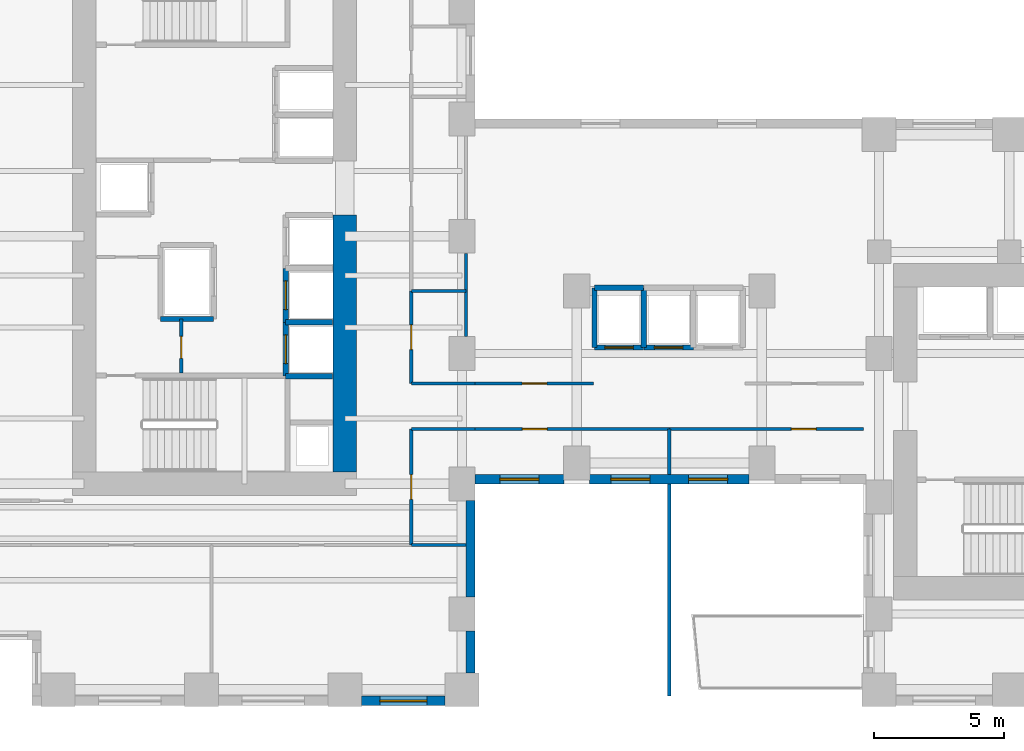
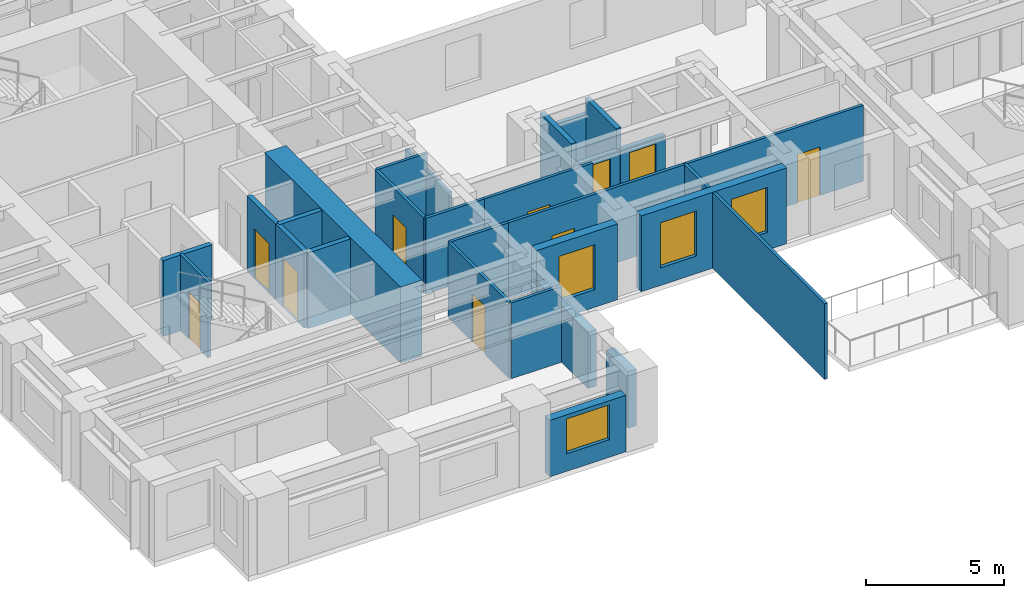
# One storey, part 4 of 12: 29 walls, 10 doors, 4 windows, 14 openings.
"""IFC4 building model written with IfcOpenShell, lengths in metres."""

from ifc_helpers import new_model, si_unit, direction, frame, frame_2d, origin, place, context, subcontext, project, spatial, rectangle, extrude, source, transform, mapped, material, layer, layer_set, type_object, element, fill, save


model = new_model("IFC4")

# Units and contexts
model_context = context("Model", 3, precision=1e-05, world=origin(), true_north=direction((0.0, 1.0)))
body_context = subcontext(model_context, "Body", "Model", "MODEL_VIEW")
ifc_project = project(units=[si_unit("LENGTHUNIT", "METRE"), si_unit("AREAUNIT", "SQUARE_METRE"), si_unit("VOLUMEUNIT", "CUBIC_METRE"), si_unit("PLANEANGLEUNIT", "RADIAN"), si_unit("MASSUNIT", "GRAM", prefix="KILO")], contexts=[model_context])

# Site, building, storey
site_placement = place(None, origin())
site = spatial("IfcSite", under=ifc_project, at=site_placement, CompositionType="ELEMENT")
building_placement = place(site_placement, origin())
building = spatial("IfcBuilding", under=site, at=building_placement, Name="Kharzan Plaza Tower", CompositionType="ELEMENT")
storey_placement = place(building_placement, frame((0.0, 0.0, 62.10009765625)))
storey = spatial("IfcBuildingStorey", under=building, at=storey_placement, Name="L16", CompositionType="ELEMENT", Elevation=62.10009765625)

# Wall, opening, window
ifc_material_1 = material(Name="Concrete C40/50", Category="concrete")
ifc_layer_1 = layer(ifc_material_1, 0.35009765625)
ifc_layer_set_1 = layer_set([ifc_layer_1], Name="Concrete C40/50")
wall_type_1 = type_object("IfcWallType", Name="WL-EXT-MAS-Z1", PredefinedType="SOLIDWALL", material=ifc_layer_set_1)
wall_1_placement = place(storey_placement, frame((15.14794921875, 0.175048828125, 0.0), z_axis=(0.0, 0.0, 1.0), x_axis=(1.0, 0.0, 0.0)))
wall_1 = element("IfcWall", 1, at=wall_1_placement, inside=storey, type_object=wall_type_1, Name="L16 Masonry-Frame Exterior Wall 25", PredefinedType="SOLIDWALL", context=body_context, shape_type="SweptSolid", body=[
    extrude(rectangle(XDim=3.2041015625, YDim=0.35009765625, at=frame_2d((1.60205078125, 0.0))), origin(), (0.0, 0.0, 1.0), 2.510009765625),
])
opening_1_placement = place(wall_1_placement, frame((0.701904296875, 0.0, 0.780029296875)))
opening_1 = element("IfcOpeningElement", 2, at=opening_1_placement, cuts=wall_1, Name="Opening W1", PredefinedType="OPENING", context=body_context, shape_type="SweptSolid", body=[
    extrude(rectangle(XDim=1.800048828125, YDim=1.550048828125, at=frame_2d((0.89990234375, 0.77490234375))), frame((0.0, 0.18505859375, 0.0), z_axis=(0.0, -1.0, 0.0), x_axis=(1.0, 0.0, 0.0)), (0.0, 0.0, 1.0), 0.3701171875),
])
ifc_material_2 = material(Name="Low-E Double Glazing", Category="glass")
window_type_1 = type_object("IfcWindowType", Name="WN-REC-1800x2100", PartitioningType="SINGLE_PANEL", PredefinedType="WINDOW", material=ifc_material_2)
shared_shape_1 = source(origin(), body_context, "Body", "SweptSolid", [
    extrude(rectangle(XDim=1.800048828125, YDim=1.550048828125, at=frame_2d((0.89990234375, 0.77490234375))), frame((0.0, 0.030029296875, 0.0), z_axis=(0.0, -1.0, 0.0), x_axis=(1.0, 0.0, 0.0)), (0.0, 0.0, 1.0), 0.06005859375),
])
window_1_placement = place(opening_1_placement, origin())
window_1 = element("IfcWindow", 3, at=window_1_placement, inside=storey, type_object=window_type_1, Name="L16 Recessed Solar-Control Window 25-1", OverallHeight=1.550048828125, OverallWidth=1.800048828125, PartitioningType="SINGLE_PANEL", PredefinedType="WINDOW", context=body_context, shape_type="MappedRepresentation", body=[
    mapped(shared_shape_1, transform((0.0, 0.0, 0.0), x_axis=(1.0, 0.0, 0.0), y_axis=(0.0, 1.0, 0.0), z_axis=(0.0, 0.0, 1.0))),
])
fill(opening_1, window_1)

wall_2_placement = place(storey_placement, frame((19.498046875, 8.675048828125, 0.0), z_axis=(0.0, 0.0, 1.0), x_axis=(1.0, 0.0, 0.0)))
wall_2 = element("IfcWall", 4, at=wall_2_placement, inside=storey, type_object=wall_type_1, Name="L16 Masonry-Frame Exterior Wall 28", PredefinedType="SOLIDWALL", context=body_context, shape_type="SweptSolid", body=[
    extrude(rectangle(XDim=3.404052734375, YDim=0.35009765625, at=frame_2d((1.7021484375, 0.0))), origin(), (0.0, 0.0, 1.0), 3.364990234375),
])
opening_2_placement = place(wall_2_placement, frame((0.951904296875, 0.0, 0.780029296875)))
opening_2 = element("IfcOpeningElement", 5, at=opening_2_placement, cuts=wall_2, Name="Opening W5", PredefinedType="OPENING", context=body_context, shape_type="SweptSolid", body=[
    extrude(rectangle(XDim=1.5, YDim=2.0, at=frame_2d((0.75, 1.0))), frame((0.0, 0.18505859375, 0.0), z_axis=(0.0, -1.0, 0.0), x_axis=(1.0, 0.0, 0.0)), (0.0, 0.0, 1.0), 0.3701171875),
])
window_type_2 = type_object("IfcWindowType", Name="WN-SLT-1500x2000", PartitioningType="SINGLE_PANEL", PredefinedType="WINDOW", material=ifc_material_2)
shared_shape_2 = source(origin(), body_context, "Body", "SweptSolid", [
    extrude(rectangle(XDim=1.5, YDim=2.0, at=frame_2d((0.75, 1.0))), frame((0.0, 0.030029296875, 0.0), z_axis=(0.0, -1.0, 0.0), x_axis=(1.0, 0.0, 0.0)), (0.0, 0.0, 1.0), 0.06005859375),
])
window_2_placement = place(opening_2_placement, origin())
window_2 = element("IfcWindow", 6, at=window_2_placement, inside=storey, type_object=window_type_2, Name="L16 Recessed Solar-Control Window 28-1", OverallHeight=2.0, OverallWidth=1.5, PartitioningType="SINGLE_PANEL", PredefinedType="WINDOW", context=body_context, shape_type="MappedRepresentation", body=[
    mapped(shared_shape_2, transform((0.0, 0.0, 0.0), x_axis=(1.0, 0.0, 0.0), y_axis=(0.0, 1.0, 0.0), z_axis=(0.0, 0.0, 1.0))),
])
fill(opening_2, window_2)

# Wall, openings, windows
wall_3_placement = place(storey_placement, frame((23.89794921875, 8.675048828125, 0.0), z_axis=(0.0, 0.0, 1.0), x_axis=(1.0, 0.0, 0.0)))
wall_3 = element("IfcWall", 7, at=wall_3_placement, inside=storey, type_object=wall_type_1, Name="L16 Masonry-Frame Exterior Wall 29", PredefinedType="SOLIDWALL", context=body_context, shape_type="SweptSolid", body=[
    extrude(rectangle(XDim=6.10400390625, YDim=0.35009765625, at=frame_2d((3.052001953125, 0.0))), origin(), (0.0, 0.0, 1.0), 3.364990234375),
])
opening_3_placement = place(wall_3_placement, frame((0.81103515625, 0.0, 0.780029296875)))
opening_3 = element("IfcOpeningElement", 8, at=opening_3_placement, cuts=wall_3, Name="Opening W5", PredefinedType="OPENING", context=body_context, shape_type="SweptSolid", body=[
    extrude(rectangle(XDim=1.5, YDim=2.0, at=frame_2d((0.75, 1.0))), frame((0.0, 0.18505859375, 0.0), z_axis=(0.0, -1.0, 0.0), x_axis=(1.0, 0.0, 0.0)), (0.0, 0.0, 1.0), 0.3701171875),
])
opening_4_placement = place(wall_3_placement, frame((3.79296875, 0.0, 0.780029296875)))
opening_4 = element("IfcOpeningElement", 9, at=opening_4_placement, cuts=wall_3, Name="Opening W5", PredefinedType="OPENING", context=body_context, shape_type="SweptSolid", body=[
    extrude(rectangle(XDim=1.5, YDim=2.0, at=frame_2d((0.75, 1.0))), frame((0.0, 0.18505859375, 0.0), z_axis=(0.0, -1.0, 0.0), x_axis=(1.0, 0.0, 0.0)), (0.0, 0.0, 1.0), 0.3701171875),
])
window_3_placement = place(opening_3_placement, origin())
window_3 = element("IfcWindow", 10, at=window_3_placement, inside=storey, type_object=window_type_2, Name="L16 Recessed Solar-Control Window 29-1", OverallHeight=2.0, OverallWidth=1.5, PartitioningType="SINGLE_PANEL", PredefinedType="WINDOW", context=body_context, shape_type="MappedRepresentation", body=[
    mapped(shared_shape_2, transform((0.0, 0.0, 0.0), x_axis=(1.0, 0.0, 0.0), y_axis=(0.0, 1.0, 0.0), z_axis=(0.0, 0.0, 1.0))),
])
fill(opening_3, window_3)
window_4_placement = place(opening_4_placement, origin())
window_4 = element("IfcWindow", 11, at=window_4_placement, inside=storey, type_object=window_type_2, Name="L16 Recessed Solar-Control Window 29-2", OverallHeight=2.0, OverallWidth=1.5, PartitioningType="SINGLE_PANEL", PredefinedType="WINDOW", context=body_context, shape_type="MappedRepresentation", body=[
    mapped(shared_shape_2, transform((0.0, 0.0, 0.0), x_axis=(1.0, 0.0, 0.0), y_axis=(0.0, 1.0, 0.0), z_axis=(0.0, 0.0, 1.0))),
])
fill(opening_4, window_4)

# Wall, opening, door
ifc_material_3 = material(Name="Fire-Rated Gypsum Board Partition", Category="gypsum")
ifc_layer_2 = layer(ifc_material_3, 0.125)
ifc_layer_set_2 = layer_set([ifc_layer_2], Name="Fire-Rated Gypsum Board Partition")
wall_type_2 = type_object("IfcWallType", Name="WL-INT-PART-125", PredefinedType="PARTITIONING", material=ifc_layer_set_2)
wall_4_placement = place(storey_placement, frame((8.219970703125, 12.75, 0.0), z_axis=(0.0, 0.0, 1.0), x_axis=(0.0, 1.0, 0.0)))
wall_4 = element("IfcWall", 12, at=wall_4_placement, inside=storey, type_object=wall_type_2, Name="L16 Interior Partition CA-K1E", PredefinedType="PARTITIONING", context=body_context, shape_type="SweptSolid", body=[
    extrude(rectangle(XDim=2.070068359375, YDim=0.125, at=frame_2d((1.03515625, 0.0))), origin(), (0.0, 0.0, 1.0), 3.364990234375),
])
opening_5_placement = place(wall_4_placement, frame((0.56005859375, 0.0, 0.0)))
opening_5 = element("IfcOpeningElement", 13, at=opening_5_placement, cuts=wall_4, Name="Opening RD1", PredefinedType="OPENING", context=body_context, shape_type="SweptSolid", body=[
    extrude(rectangle(XDim=0.85009765625, YDim=2.10009765625, at=frame_2d((0.425048828125, 1.050048828125))), frame((0.0, 0.072509765625, 0.0), z_axis=(0.0, -1.0, 0.0), x_axis=(1.0, 0.0, 0.0)), (0.0, 0.0, 1.0), 0.14501953125),
])
ifc_material_4 = material(Name="Powder-Coated Fire-Rated Steel", Category="steel")
door_type_1 = type_object("IfcDoorType", Name="DR-RISER-900", OperationType="NOTDEFINED", PredefinedType="DOOR", material=ifc_material_4)
shared_shape_3 = source(origin(), body_context, "Body", "SweptSolid", [
    extrude(rectangle(XDim=0.85009765625, YDim=2.10009765625, at=frame_2d((0.425048828125, 1.050048828125))), frame((0.0, 0.02490234375, 0.0), z_axis=(0.0, -1.0, 0.0), x_axis=(1.0, 0.0, 0.0)), (0.0, 0.0, 1.0), 0.050048828125),
])
door_1_placement = place(opening_5_placement, origin())
door_1 = element("IfcDoor", 14, at=door_1_placement, inside=storey, type_object=door_type_1, Name="L16 Core Service Store Door", OperationType="SINGLE_SWING_RIGHT", OverallHeight=2.10009765625, OverallWidth=0.85009765625, PredefinedType="DOOR", context=body_context, shape_type="MappedRepresentation", body=[
    mapped(shared_shape_3, transform((0.0, 0.0, 0.0), x_axis=(1.0, 0.0, 0.0), y_axis=(0.0, 1.0, 0.0), z_axis=(0.0, 0.0, 1.0))),
])
fill(opening_5, door_1)

wall_5_placement = place(storey_placement, frame((17.050048828125, 12.35009765625, 0.0), z_axis=(0.0, 0.0, 1.0), x_axis=(0.0, 1.0, 0.0)))
wall_5 = element("IfcWall", 15, at=wall_5_placement, inside=storey, type_object=wall_type_2, Name="L16 Interior Partition SH-AEWN1", PredefinedType="PARTITIONING", context=body_context, shape_type="SweptSolid", body=[
    extrude(rectangle(XDim=3.5498046875, YDim=0.125, at=frame_2d((1.77490234375, 0.0))), origin(), (0.0, 0.0, 1.0), 3.364990234375),
])
opening_6_placement = place(wall_5_placement, frame((1.300048828125, 0.0, 0.0)))
opening_6 = element("IfcOpeningElement", 16, at=opening_6_placement, cuts=wall_5, Name="Opening OD1", PredefinedType="OPENING", context=body_context, shape_type="SweptSolid", body=[
    extrude(rectangle(XDim=0.949951171875, YDim=2.14990234375, at=frame_2d((0.47509765625, 1.074951171875))), frame((0.0, 0.072509765625, 0.0), z_axis=(0.0, -1.0, 0.0), x_axis=(1.0, 0.0, 0.0)), (0.0, 0.0, 1.0), 0.14501953125),
])
ifc_material_5 = material(Name="Acoustic Solid-Core Stained Oak", Category="timber")
door_type_2 = type_object("IfcDoorType", Name="DR-OFF-SINGLE", OperationType="NOTDEFINED", PredefinedType="DOOR", material=ifc_material_5)
shared_shape_4 = source(origin(), body_context, "Body", "SweptSolid", [
    extrude(rectangle(XDim=0.949951171875, YDim=2.14990234375, at=frame_2d((0.47509765625, 1.074951171875))), frame((0.0, 0.02490234375, 0.0), z_axis=(0.0, -1.0, 0.0), x_axis=(1.0, 0.0, 0.0)), (0.0, 0.0, 1.0), 0.050048828125),
])
door_2_placement = place(opening_6_placement, origin())
door_2 = element("IfcDoor", 17, at=door_2_placement, inside=storey, type_object=door_type_2, Name="L16 Slot Collaboration Door", OperationType="SINGLE_SWING_RIGHT", OverallHeight=2.14990234375, OverallWidth=0.949951171875, PredefinedType="DOOR", context=body_context, shape_type="MappedRepresentation", body=[
    mapped(shared_shape_4, transform((0.0, 0.0, 0.0), x_axis=(1.0, 0.0, 0.0), y_axis=(0.0, 1.0, 0.0), z_axis=(0.0, 0.0, 1.0))),
])
fill(opening_6, door_2)

wall_6_placement = place(storey_placement, frame((17.050048828125, 6.14990234375, 0.0), z_axis=(0.0, 0.0, 1.0), x_axis=(0.0, 1.0, 0.0)))
wall_6 = element("IfcWall", 18, at=wall_6_placement, inside=storey, type_object=wall_type_2, Name="L16 Interior Partition SH-AEWS", PredefinedType="PARTITIONING", context=body_context, shape_type="SweptSolid", body=[
    extrude(rectangle(XDim=4.4501953125, YDim=0.125, at=frame_2d((2.22509765625, 0.0))), origin(), (0.0, 0.0, 1.0), 3.364990234375),
])
opening_7_placement = place(wall_6_placement, frame((1.75, 0.0, 0.0)))
opening_7 = element("IfcOpeningElement", 19, at=opening_7_placement, cuts=wall_6, Name="Opening OD1", PredefinedType="OPENING", context=body_context, shape_type="SweptSolid", body=[
    extrude(rectangle(XDim=0.949951171875, YDim=2.14990234375, at=frame_2d((0.47509765625, 1.074951171875))), frame((0.0, 0.072509765625, 0.0), z_axis=(0.0, -1.0, 0.0), x_axis=(1.0, 0.0, 0.0)), (0.0, 0.0, 1.0), 0.14501953125),
])
door_3_placement = place(opening_7_placement, origin())
door_3 = element("IfcDoor", 20, at=door_3_placement, inside=storey, type_object=door_type_2, Name="L16 Slot South Office Door", OperationType="SINGLE_SWING_LEFT", OverallHeight=2.14990234375, OverallWidth=0.949951171875, PredefinedType="DOOR", context=body_context, shape_type="MappedRepresentation", body=[
    mapped(shared_shape_4, transform((0.0, 0.0, 0.0), x_axis=(1.0, 0.0, 0.0), y_axis=(0.0, 1.0, 0.0), z_axis=(0.0, 0.0, 1.0))),
])
fill(opening_7, door_3)

wall_7_placement = place(storey_placement, frame((19.5, 12.35009765625, 0.0), z_axis=(0.0, 0.0, 1.0), x_axis=(1.0, 0.0, 0.0)))
wall_7 = element("IfcWall", 21, at=wall_7_placement, inside=storey, type_object=wall_type_2, Name="L16 Interior Partition SH-SPNW1", PredefinedType="PARTITIONING", context=body_context, shape_type="SweptSolid", body=[
    extrude(rectangle(XDim=4.550048828125, YDim=0.125, at=frame_2d((2.27490234375, 0.0))), origin(), (0.0, 0.0, 1.0), 3.364990234375),
])
opening_8_placement = place(wall_7_placement, frame((1.800048828125, 0.0, 0.0)))
opening_8 = element("IfcOpeningElement", 22, at=opening_8_placement, cuts=wall_7, Name="Opening OD1", PredefinedType="OPENING", context=body_context, shape_type="SweptSolid", body=[
    extrude(rectangle(XDim=0.949951171875, YDim=2.14990234375, at=frame_2d((0.47509765625, 1.074951171875))), frame((0.0, 0.072509765625, 0.0), z_axis=(0.0, -1.0, 0.0), x_axis=(1.0, 0.0, 0.0)), (0.0, 0.0, 1.0), 0.14501953125),
])
door_4_placement = place(opening_8_placement, origin())
door_4 = element("IfcDoor", 23, at=door_4_placement, inside=storey, type_object=door_type_2, Name="L16 North-West Spine Door", OperationType="SINGLE_SWING_RIGHT", OverallHeight=2.14990234375, OverallWidth=0.949951171875, PredefinedType="DOOR", context=body_context, shape_type="MappedRepresentation", body=[
    mapped(shared_shape_4, transform((0.0, 0.0, 0.0), x_axis=(1.0, 0.0, 0.0), y_axis=(0.0, 1.0, 0.0), z_axis=(0.0, 0.0, 1.0))),
])
fill(opening_8, door_4)

wall_8_placement = place(storey_placement, frame((19.5, 10.60009765625, 0.0), z_axis=(0.0, 0.0, 1.0), x_axis=(1.0, 0.0, 0.0)))
wall_8 = element("IfcWall", 24, at=wall_8_placement, inside=storey, type_object=wall_type_2, Name="L16 Interior Partition SH-SPS1", PredefinedType="PARTITIONING", context=body_context, shape_type="SweptSolid", body=[
    extrude(rectangle(XDim=7.449951171875, YDim=0.125, at=frame_2d((3.72509765625, 0.0))), origin(), (0.0, 0.0, 1.0), 3.364990234375),
])
opening_9_placement = place(wall_8_placement, frame((1.8173828125, 0.0, 0.0)))
opening_9 = element("IfcOpeningElement", 25, at=opening_9_placement, cuts=wall_8, Name="Opening OD1", PredefinedType="OPENING", context=body_context, shape_type="SweptSolid", body=[
    extrude(rectangle(XDim=0.949951171875, YDim=2.14990234375, at=frame_2d((0.47509765625, 1.074951171875))), frame((0.0, 0.072509765625, 0.0), z_axis=(0.0, -1.0, 0.0), x_axis=(1.0, 0.0, 0.0)), (0.0, 0.0, 1.0), 0.14501953125),
])
door_5_placement = place(opening_9_placement, origin())
door_5 = element("IfcDoor", 26, at=door_5_placement, inside=storey, type_object=door_type_2, Name="L16 South Spine West Door", OperationType="SINGLE_SWING_RIGHT", OverallHeight=2.14990234375, OverallWidth=0.949951171875, PredefinedType="DOOR", context=body_context, shape_type="MappedRepresentation", body=[
    mapped(shared_shape_4, transform((0.0, 0.0, 0.0), x_axis=(1.0, 0.0, 0.0), y_axis=(0.0, 1.0, 0.0), z_axis=(0.0, 0.0, 1.0))),
])
fill(opening_9, door_5)

wall_9_placement = place(storey_placement, frame((26.949951171875, 10.60009765625, 0.0), z_axis=(0.0, 0.0, 1.0), x_axis=(1.0, 0.0, 0.0)))
wall_9 = element("IfcWall", 27, at=wall_9_placement, inside=storey, type_object=wall_type_2, Name="L16 Interior Partition SH-SPS2", PredefinedType="PARTITIONING", context=body_context, shape_type="SweptSolid", body=[
    extrude(rectangle(XDim=7.449951171875, YDim=0.125, at=frame_2d((3.72509765625, 0.0))), origin(), (0.0, 0.0, 1.0), 3.364990234375),
])
opening_10_placement = place(wall_9_placement, frame((4.6826171875, 0.0, 0.0)))
opening_10 = element("IfcOpeningElement", 28, at=opening_10_placement, cuts=wall_9, Name="Opening OD1", PredefinedType="OPENING", context=body_context, shape_type="SweptSolid", body=[
    extrude(rectangle(XDim=0.949951171875, YDim=2.14990234375, at=frame_2d((0.47509765625, 1.074951171875))), frame((0.0, 0.072509765625, 0.0), z_axis=(0.0, -1.0, 0.0), x_axis=(1.0, 0.0, 0.0)), (0.0, 0.0, 1.0), 0.14501953125),
])
door_6_placement = place(opening_10_placement, origin())
door_6 = element("IfcDoor", 29, at=door_6_placement, inside=storey, type_object=door_type_2, Name="L16 South Spine East Door", OperationType="SINGLE_SWING_LEFT", OverallHeight=2.14990234375, OverallWidth=0.949951171875, PredefinedType="DOOR", context=body_context, shape_type="MappedRepresentation", body=[
    mapped(shared_shape_4, transform((0.0, 0.0, 0.0), x_axis=(1.0, 0.0, 0.0), y_axis=(0.0, 1.0, 0.0), z_axis=(0.0, 0.0, 1.0))),
])
fill(opening_10, door_6)

ifc_layer_3 = layer(ifc_material_1, 0.199951171875)
ifc_layer_set_3 = layer_set([ifc_layer_3], Name="Concrete C40/50")
wall_type_3 = type_object("IfcWallType", Name="WL-INT-SHAFT-200", PredefinedType="PARTITIONING", material=ifc_layer_set_3)
wall_10_placement = place(storey_placement, frame((12.22998046875, 12.6298828125, 0.0), z_axis=(0.0, 0.0, 1.0), x_axis=(0.0, 1.0, 0.0)))
wall_10 = element("IfcWall", 30, at=wall_10_placement, inside=storey, type_object=wall_type_3, Name="L16 Interior Partition SHF-PL-H1-W", PredefinedType="PARTITIONING", context=body_context, shape_type="SweptSolid", body=[
    extrude(rectangle(XDim=2.070068359375, YDim=0.199951171875, at=frame_2d((1.03515625, 0.0))), origin(), (0.0, 0.0, 1.0), 3.364990234375),
])
opening_11_placement = place(wall_10_placement, frame((0.485107421875, 0.0, 0.0)))
opening_11 = element("IfcOpeningElement", 31, at=opening_11_placement, cuts=wall_10, Name="Opening LD", PredefinedType="OPENING", context=body_context, shape_type="SweptSolid", body=[
    extrude(rectangle(XDim=1.10009765625, YDim=2.199951171875, at=frame_2d((0.550048828125, 1.10009765625))), frame((0.0, 0.10986328125, 0.0), z_axis=(0.0, -1.0, 0.0), x_axis=(1.0, 0.0, 0.0)), (0.0, 0.0, 1.0), 0.219970703125),
])
ifc_material_6 = material(Name="Brushed Stainless Steel", Category="steel")
door_type_3 = type_object("IfcDoorType", Name="DR-LIFT-SLIDE", OperationType="SLIDING_TO_LEFT", PredefinedType="DOOR", material=ifc_material_6)
shared_shape_5 = source(origin(), body_context, "Body", "SweptSolid", [
    extrude(rectangle(XDim=1.10009765625, YDim=2.199951171875, at=frame_2d((0.550048828125, 1.10009765625))), frame((0.0, 0.02490234375, 0.0), z_axis=(0.0, -1.0, 0.0), x_axis=(1.0, 0.0, 0.0)), (0.0, 0.0, 1.0), 0.050048828125),
])
door_7_placement = place(opening_11_placement, origin())
door_7 = element("IfcDoor", 32, at=door_7_placement, inside=storey, type_object=door_type_3, Name="L16 High-Rise Passenger Lift PL-H1 Sliding Landing Door", OperationType="SLIDING_TO_LEFT", OverallHeight=2.199951171875, OverallWidth=1.10009765625, PredefinedType="DOOR", context=body_context, shape_type="MappedRepresentation", body=[
    mapped(shared_shape_5, transform((0.0, 0.0, 0.0), x_axis=(1.0, 0.0, 0.0), y_axis=(0.0, 1.0, 0.0), z_axis=(0.0, 0.0, 1.0))),
])
fill(opening_11, door_7)

wall_11_placement = place(storey_placement, frame((12.22998046875, 14.699951171875, 0.0), z_axis=(0.0, 0.0, 1.0), x_axis=(0.0, 1.0, 0.0)))
wall_11 = element("IfcWall", 33, at=wall_11_placement, inside=storey, type_object=wall_type_3, Name="L16 Interior Partition SHF-PL-H2-W", PredefinedType="PARTITIONING", context=body_context, shape_type="SweptSolid", body=[
    extrude(rectangle(XDim=2.070068359375, YDim=0.199951171875, at=frame_2d((1.03515625, 0.0))), origin(), (0.0, 0.0, 1.0), 3.364990234375),
])
opening_12_placement = place(wall_11_placement, frame((0.485107421875, 0.0, 0.0)))
opening_12 = element("IfcOpeningElement", 34, at=opening_12_placement, cuts=wall_11, Name="Opening LD", PredefinedType="OPENING", context=body_context, shape_type="SweptSolid", body=[
    extrude(rectangle(XDim=1.10009765625, YDim=2.199951171875, at=frame_2d((0.550048828125, 1.10009765625))), frame((0.0, 0.10986328125, 0.0), z_axis=(0.0, -1.0, 0.0), x_axis=(1.0, 0.0, 0.0)), (0.0, 0.0, 1.0), 0.219970703125),
])
door_8_placement = place(opening_12_placement, origin())
door_8 = element("IfcDoor", 35, at=door_8_placement, inside=storey, type_object=door_type_3, Name="L16 High-Rise Passenger Lift PL-H2 Sliding Landing Door", OperationType="SLIDING_TO_LEFT", OverallHeight=2.199951171875, OverallWidth=1.10009765625, PredefinedType="DOOR", context=body_context, shape_type="MappedRepresentation", body=[
    mapped(shared_shape_5, transform((0.0, 0.0, 0.0), x_axis=(1.0, 0.0, 0.0), y_axis=(0.0, 1.0, 0.0), z_axis=(0.0, 0.0, 1.0))),
])
fill(opening_12, door_8)

wall_12_placement = place(storey_placement, frame((24.080078125, 13.72998046875, 0.0), z_axis=(0.0, 0.0, 1.0), x_axis=(1.0, 0.0, 0.0)))
wall_12 = element("IfcWall", 36, at=wall_12_placement, inside=storey, type_object=wall_type_3, Name="L16 Interior Partition SHF-PL-M1-S", PredefinedType="PARTITIONING", context=body_context, shape_type="SweptSolid", body=[
    extrude(rectangle(XDim=1.889892578125, YDim=0.199951171875, at=frame_2d((0.94482421875, 0.0))), origin(), (0.0, 0.0, 1.0), 2.44580078125),
])
opening_13_placement = place(wall_12_placement, frame((0.39501953125, 0.0, 0.0)))
opening_13 = element("IfcOpeningElement", 37, at=opening_13_placement, cuts=wall_12, Name="Opening LD", PredefinedType="OPENING", context=body_context, shape_type="SweptSolid", body=[
    extrude(rectangle(XDim=1.10009765625, YDim=2.199951171875, at=frame_2d((0.550048828125, 1.10009765625))), frame((0.0, 0.10986328125, 0.0), z_axis=(0.0, -1.0, 0.0), x_axis=(1.0, 0.0, 0.0)), (0.0, 0.0, 1.0), 0.219970703125),
])
door_9_placement = place(opening_13_placement, origin())
door_9 = element("IfcDoor", 38, at=door_9_placement, inside=storey, type_object=door_type_3, Name="L16 Mid-Rise Passenger Lift PL-M1 Sliding Landing Door", OperationType="SLIDING_TO_LEFT", OverallHeight=2.199951171875, OverallWidth=1.10009765625, PredefinedType="DOOR", context=body_context, shape_type="MappedRepresentation", body=[
    mapped(shared_shape_5, transform((0.0, 0.0, 0.0), x_axis=(1.0, 0.0, 0.0), y_axis=(0.0, 1.0, 0.0), z_axis=(0.0, 0.0, 1.0))),
])
fill(opening_13, door_9)

wall_13_placement = place(storey_placement, frame((25.97998046875, 13.72998046875, 0.0), z_axis=(0.0, 0.0, 1.0), x_axis=(1.0, 0.0, 0.0)))
wall_13 = element("IfcWall", 39, at=wall_13_placement, inside=storey, type_object=wall_type_3, Name="L16 Interior Partition SHF-PL-M2-S", PredefinedType="PARTITIONING", context=body_context, shape_type="SweptSolid", body=[
    extrude(rectangle(XDim=1.89013671875, YDim=0.199951171875, at=frame_2d((0.945068359375, 0.0))), origin(), (0.0, 0.0, 1.0), 2.44580078125),
])
opening_14_placement = place(wall_13_placement, frame((0.39501953125, 0.0, 0.0)))
opening_14 = element("IfcOpeningElement", 40, at=opening_14_placement, cuts=wall_13, Name="Opening LD", PredefinedType="OPENING", context=body_context, shape_type="SweptSolid", body=[
    extrude(rectangle(XDim=1.10009765625, YDim=2.199951171875, at=frame_2d((0.550048828125, 1.10009765625))), frame((0.0, 0.10986328125, 0.0), z_axis=(0.0, -1.0, 0.0), x_axis=(1.0, 0.0, 0.0)), (0.0, 0.0, 1.0), 0.219970703125),
])
door_10_placement = place(opening_14_placement, origin())
door_10 = element("IfcDoor", 41, at=door_10_placement, inside=storey, type_object=door_type_3, Name="L16 Mid-Rise Passenger Lift PL-M2 Sliding Landing Door", OperationType="SLIDING_TO_LEFT", OverallHeight=2.199951171875, OverallWidth=1.10009765625, PredefinedType="DOOR", context=body_context, shape_type="MappedRepresentation", body=[
    mapped(shared_shape_5, transform((0.0, 0.0, 0.0), x_axis=(1.0, 0.0, 0.0), y_axis=(0.0, 1.0, 0.0), z_axis=(0.0, 0.0, 1.0))),
])
fill(opening_14, door_10)

# Walls
ifc_material_7 = material(Name="Concrete C60/75", Category="concrete")
ifc_layer_4 = layer(ifc_material_7, 0.89990234375)
ifc_layer_set_4 = layer_set([ifc_layer_4], Name="Concrete C60/75")
wall_type_4 = type_object("IfcWallType", Name="WL-CORE-900", PredefinedType="SHEAR", material=ifc_layer_set_4)
shared_shape_6 = source(origin(), body_context, "Body", "SweptSolid", [
    extrude(rectangle(XDim=9.8701171875, YDim=0.89990234375, at=frame_2d((4.93505859375, 0.0))), origin(), (0.0, 0.0, 1.0), 3.3798828125),
])
wall_14_placement = place(storey_placement, frame((14.5, 8.949951171875, 0.0), z_axis=(0.0, 0.0, 1.0), x_axis=(0.0, 1.0, 0.0)))
element("IfcWall", 42, at=wall_14_placement, inside=storey, type_object=wall_type_4, Name="L16 CORE-A east shear pier 1", PredefinedType="SHEAR", context=body_context, shape_type="MappedRepresentation", body=[
    mapped(shared_shape_6, transform((0.0, 0.0, 0.0), x_axis=(1.0, 0.0, 0.0), y_axis=(0.0, 1.0, 0.0), z_axis=(0.0, 0.0, 1.0))),
])
shared_shape_7 = source(origin(), body_context, "Body", "SweptSolid", [
    extrude(rectangle(XDim=1.60400390625, YDim=0.35009765625, at=frame_2d((0.802001953125, 0.0))), origin(), (0.0, 0.0, 1.0), 2.510009765625),
])
wall_15_placement = place(storey_placement, frame((19.324951171875, 1.248046875, 0.0), z_axis=(0.0, 0.0, 1.0), x_axis=(0.0, 1.0, 0.0)))
element("IfcWall", 43, at=wall_15_placement, inside=storey, type_object=wall_type_1, Name="L16 Masonry-Frame Exterior Wall 26", PredefinedType="SOLIDWALL", context=body_context, shape_type="MappedRepresentation", body=[
    mapped(shared_shape_7, transform((0.0, 0.0, 0.0), x_axis=(1.0, 0.0, 0.0), y_axis=(0.0, 1.0, 0.0), z_axis=(0.0, 0.0, 1.0))),
])
shared_shape_8 = source(origin(), body_context, "Body", "SweptSolid", [
    extrude(rectangle(XDim=3.7041015625, YDim=0.35009765625, at=frame_2d((1.85205078125, 0.0))), origin(), (0.0, 0.0, 1.0), 2.510009765625),
])
wall_16_placement = place(storey_placement, frame((19.324951171875, 4.14794921875, 0.0), z_axis=(0.0, 0.0, 1.0), x_axis=(0.0, 1.0, 0.0)))
element("IfcWall", 44, at=wall_16_placement, inside=storey, type_object=wall_type_1, Name="L16 Masonry-Frame Exterior Wall 27", PredefinedType="SOLIDWALL", context=body_context, shape_type="MappedRepresentation", body=[
    mapped(shared_shape_8, transform((0.0, 0.0, 0.0), x_axis=(1.0, 0.0, 0.0), y_axis=(0.0, 1.0, 0.0), z_axis=(0.0, 0.0, 1.0))),
])
shared_shape_9 = source(origin(), body_context, "Body", "SweptSolid", [
    extrude(rectangle(XDim=3.18017578125, YDim=0.125, at=frame_2d((1.590087890625, 0.0))), origin(), (0.0, 0.0, 1.0), 2.669921875),
])
wall_17_placement = place(storey_placement, frame((19.14990234375, 14.159912109375, 0.0), z_axis=(0.0, 0.0, 1.0), x_axis=(0.0, 1.0, 0.0)))
element("IfcWall", 45, at=wall_17_placement, inside=storey, type_object=wall_type_2, Name="L16 Interior Partition SH-AEN-DIV-S1", PredefinedType="PARTITIONING", context=body_context, shape_type="MappedRepresentation", body=[
    mapped(shared_shape_9, transform((0.0, 0.0, 0.0), x_axis=(1.0, 0.0, 0.0), y_axis=(0.0, 1.0, 0.0), z_axis=(0.0, 0.0, 1.0))),
])
shared_shape_10 = source(origin(), body_context, "Body", "SweptSolid", [
    extrude(rectangle(XDim=1.7900390625, YDim=0.199951171875, at=frame_2d((0.89501953125, 0.0))), origin(), (0.0, 0.0, 1.0), 3.364990234375),
])
for number, where, z_axis, x_axis, name in (
    (46, (12.22998046875, 14.699951171875, 0.0), (0.0, 0.0, 1.0), (1.0, 0.0, 0.0), "L16 Interior Partition SHF-PL-H1-N"),
    (47, (12.22998046875, 12.6298828125, 0.0), (0.0, 0.0, 1.0), (1.0, 0.0, 0.0), "L16 Interior Partition SHF-PL-H1-S"),
):
    element("IfcWall", number, at=place(storey_placement, frame(where, z_axis=z_axis, x_axis=x_axis)), inside=storey, type_object=wall_type_3, Name=name, PredefinedType="PARTITIONING", context=body_context, shape_type="MappedRepresentation", body=[
        mapped(shared_shape_10, transform((0.0, 0.0, 0.0), x_axis=(1.0, 0.0, 0.0), y_axis=(0.0, 1.0, 0.0), z_axis=(0.0, 0.0, 1.0))),
    ])
shared_shape_11 = source(origin(), body_context, "Body", "SweptSolid", [
    extrude(rectangle(XDim=2.2900390625, YDim=0.199951171875, at=frame_2d((1.14501953125, 0.0))), origin(), (0.0, 0.0, 1.0), 3.364990234375),
])
for number, where, z_axis, x_axis, name in (
    (48, (25.969970703125, 13.72998046875, 0.0), (0.0, 0.0, 1.0), (0.0, 1.0, 0.0), "L16 Interior Partition SHF-PL-M1-E"),
    (49, (24.080078125, 13.72998046875, 0.0), (0.0, 0.0, 1.0), (0.0, 1.0, 0.0), "L16 Interior Partition SHF-PL-M1-W"),
):
    element("IfcWall", number, at=place(storey_placement, frame(where, z_axis=z_axis, x_axis=x_axis)), inside=storey, type_object=wall_type_3, Name=name, PredefinedType="PARTITIONING", context=body_context, shape_type="MappedRepresentation", body=[
        mapped(shared_shape_11, transform((0.0, 0.0, 0.0), x_axis=(1.0, 0.0, 0.0), y_axis=(0.0, 1.0, 0.0), z_axis=(0.0, 0.0, 1.0))),
    ])
shared_shape_12 = source(origin(), body_context, "Body", "SweptSolid", [
    extrude(rectangle(XDim=1.889892578125, YDim=0.199951171875, at=frame_2d((0.94482421875, 0.0))), origin(), (0.0, 0.0, 1.0), 2.669921875),
])
wall_18_placement = place(storey_placement, frame((24.080078125, 16.02001953125, 0.0), z_axis=(0.0, 0.0, 1.0), x_axis=(1.0, 0.0, 0.0)))
element("IfcWall", 50, at=wall_18_placement, inside=storey, type_object=wall_type_3, Name="L16 Interior Partition SHF-PL-M1-N", PredefinedType="PARTITIONING", context=body_context, shape_type="MappedRepresentation", body=[
    mapped(shared_shape_12, transform((0.0, 0.0, 0.0), x_axis=(1.0, 0.0, 0.0), y_axis=(0.0, 1.0, 0.0), z_axis=(0.0, 0.0, 1.0))),
])
shared_shape_13 = source(origin(), body_context, "Body", "SweptSolid", [
    extrude(rectangle(XDim=2.0400390625, YDim=0.199951171875, at=frame_2d((1.02001953125, 0.0))), origin(), (0.0, 0.0, 1.0), 3.364990234375),
])
wall_19_placement = place(storey_placement, frame((7.429931640625, 14.830078125, 0.0), z_axis=(0.0, 0.0, 1.0), x_axis=(1.0, 0.0, 0.0)))
element("IfcWall", 51, at=wall_19_placement, inside=storey, type_object=wall_type_3, Name="L16 Interior Partition SHF-SVL-1-S", PredefinedType="PARTITIONING", context=body_context, shape_type="MappedRepresentation", body=[
    mapped(shared_shape_13, transform((0.0, 0.0, 0.0), x_axis=(1.0, 0.0, 0.0), y_axis=(0.0, 1.0, 0.0), z_axis=(0.0, 0.0, 1.0))),
])
shared_shape_14 = source(origin(), body_context, "Body", "SweptSolid", [
    extrude(rectangle(XDim=2.097900390625, YDim=0.125, at=frame_2d((1.048828125, 0.0))), origin(), (0.0, 0.0, 1.0), 3.364990234375),
])
wall_20_placement = place(storey_placement, frame((17.050048828125, 6.14990234375, 0.0), z_axis=(0.0, 0.0, 1.0), x_axis=(1.0, 0.0, 0.0)))
element("IfcWall", 52, at=wall_20_placement, inside=storey, type_object=wall_type_2, Name="L16 Interior Partition SH-SSE-2", PredefinedType="PARTITIONING", context=body_context, shape_type="MappedRepresentation", body=[
    mapped(shared_shape_14, transform((0.0, 0.0, 0.0), x_axis=(1.0, 0.0, 0.0), y_axis=(0.0, 1.0, 0.0), z_axis=(0.0, 0.0, 1.0))),
])
shared_shape_15 = source(origin(), body_context, "Body", "SweptSolid", [
    extrude(rectangle(XDim=2.449951171875, YDim=0.125, at=frame_2d((1.22509765625, 0.0))), origin(), (0.0, 0.0, 1.0), 3.364990234375),
])
for number, where, z_axis, x_axis, name in (
    (53, (17.050048828125, 12.35009765625, 0.0), (0.0, 0.0, 1.0), (1.0, 0.0, 0.0), "L16 Interior Partition SH-SPNW0"),
    (54, (17.050048828125, 10.60009765625, 0.0), (0.0, 0.0, 1.0), (1.0, 0.0, 0.0), "L16 Interior Partition SH-SPS0"),
):
    element("IfcWall", number, at=place(storey_placement, frame(where, z_axis=z_axis, x_axis=x_axis)), inside=storey, type_object=wall_type_2, Name=name, PredefinedType="PARTITIONING", context=body_context, shape_type="MappedRepresentation", body=[
        mapped(shared_shape_15, transform((0.0, 0.0, 0.0), x_axis=(1.0, 0.0, 0.0), y_axis=(0.0, 1.0, 0.0), z_axis=(0.0, 0.0, 1.0))),
    ])
shared_shape_16 = source(origin(), body_context, "Body", "SweptSolid", [
    extrude(rectangle(XDim=8.14794921875, YDim=0.125, at=frame_2d((4.073974609375, 0.0))), origin(), (0.0, 0.0, 1.0), 3.364990234375),
])
wall_21_placement = place(storey_placement, frame((26.949951171875, 0.35009765625, 0.0), z_axis=(0.0, 0.0, 1.0), x_axis=(0.0, 1.0, 0.0)))
element("IfcWall", 55, at=wall_21_placement, inside=storey, type_object=wall_type_2, Name="L16 Interior Partition SH-SPSV1-S1", PredefinedType="PARTITIONING", context=body_context, shape_type="MappedRepresentation", body=[
    mapped(shared_shape_16, transform((0.0, 0.0, 0.0), x_axis=(1.0, 0.0, 0.0), y_axis=(0.0, 1.0, 0.0), z_axis=(0.0, 0.0, 1.0))),
])
shared_shape_17 = source(origin(), body_context, "Body", "SweptSolid", [
    extrude(rectangle(XDim=1.748046875, YDim=0.125, at=frame_2d((0.8740234375, 0.0))), origin(), (0.0, 0.0, 1.0), 3.364990234375),
])
wall_22_placement = place(storey_placement, frame((26.949951171875, 8.85205078125, 0.0), z_axis=(0.0, 0.0, 1.0), x_axis=(0.0, 1.0, 0.0)))
element("IfcWall", 56, at=wall_22_placement, inside=storey, type_object=wall_type_2, Name="L16 Interior Partition SH-SPSV1-S2", PredefinedType="PARTITIONING", context=body_context, shape_type="MappedRepresentation", body=[
    mapped(shared_shape_17, transform((0.0, 0.0, 0.0), x_axis=(1.0, 0.0, 0.0), y_axis=(0.0, 1.0, 0.0), z_axis=(0.0, 0.0, 1.0))),
])
shared_shape_18 = source(origin(), body_context, "Body", "SweptSolid", [
    extrude(rectangle(XDim=2.099853515625, YDim=0.125, at=frame_2d((1.0498046875, 0.0))), origin(), (0.0, 0.0, 1.0), 3.364990234375),
])
wall_23_placement = place(storey_placement, frame((17.050048828125, 15.89990234375, 0.0), z_axis=(0.0, 0.0, 1.0), x_axis=(1.0, 0.0, 0.0)))
element("IfcWall", 57, at=wall_23_placement, inside=storey, type_object=wall_type_2, Name="L16 Interior Partition SH-AEH-159", PredefinedType="PARTITIONING", context=body_context, shape_type="MappedRepresentation", body=[
    mapped(shared_shape_18, transform((0.0, 0.0, 0.0), x_axis=(1.0, 0.0, 0.0), y_axis=(0.0, 1.0, 0.0), z_axis=(0.0, 0.0, 1.0))),
])

save(model, "model.ifc")
